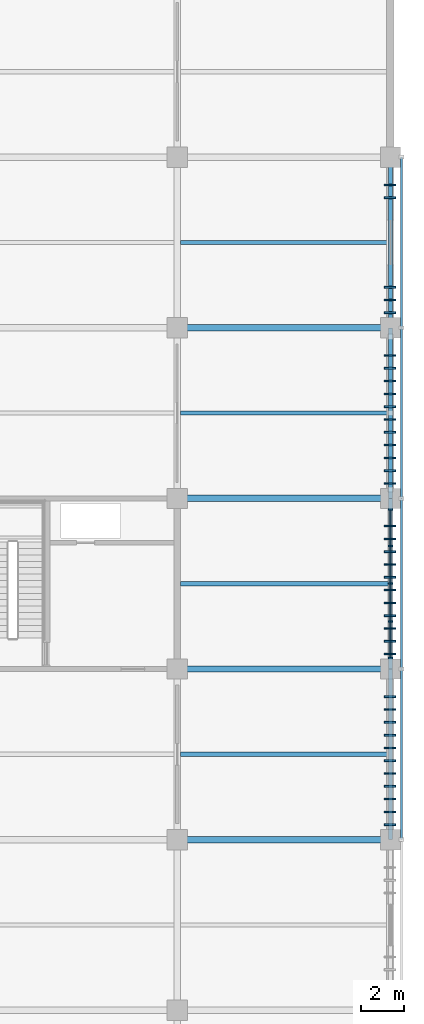
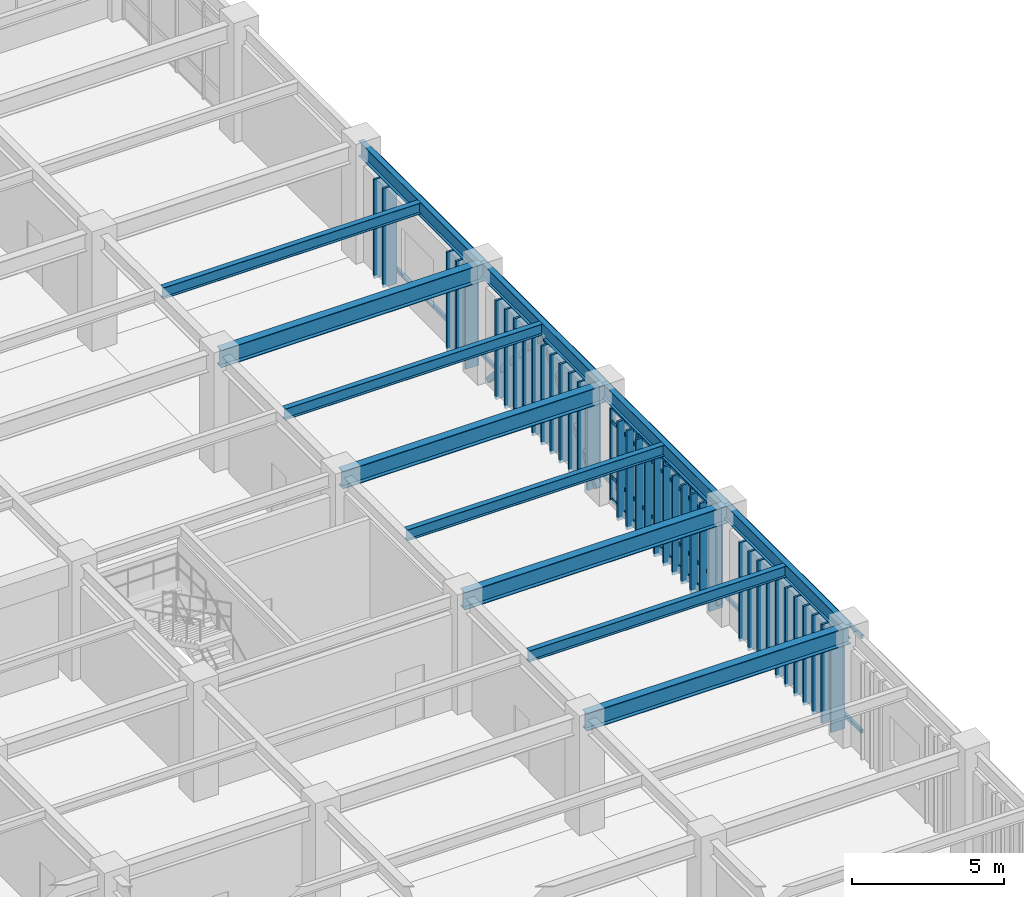
# One storey, part 37 of 109: 69 members, 12 beams, 1 element without a shape of its own.
"""IFC4 building model written with IfcOpenShell, lengths in metres."""

from ifc_helpers import new_model, si_unit, direction, frame, origin, origin_2d, place, context, subcontext, project, spatial, rectangle, hollow_rectangle, i_section, extrude, material, layer, layer_set, material_profile, profile_set, type_object, element, aggregate, save


model = new_model("IFC4")

# Units and contexts
model_context = context("Model", 3, precision=1e-05, world=origin(), true_north=direction((0.0, 1.0)))
body_context = subcontext(model_context, "Body", "Model", "MODEL_VIEW")
ifc_project = project(units=[si_unit("LENGTHUNIT", "METRE"), si_unit("AREAUNIT", "SQUARE_METRE"), si_unit("VOLUMEUNIT", "CUBIC_METRE"), si_unit("PLANEANGLEUNIT", "RADIAN"), si_unit("MASSUNIT", "GRAM", prefix="KILO")], contexts=[model_context])

# Site, building, storey
site_placement = place(None, origin())
site = spatial("IfcSite", under=ifc_project, at=site_placement, CompositionType="ELEMENT")
building_placement = place(site_placement, origin())
building = spatial("IfcBuilding", under=site, at=building_placement, Name="Haebicheon Civic Stadium", CompositionType="ELEMENT")
storey_placement = place(building_placement, frame((0.0, 0.0, 9.60009765625)))
storey = spatial("IfcBuildingStorey", under=building, at=storey_placement, Name="L03", CompositionType="ELEMENT", Elevation=9.60009765625)

# Beams
ifc_material_1 = material(Name="Steel SM490", Category="steel")
ifc_material_profile_1 = material_profile(ifc_material_1, i_section(OverallWidth=0.300048828125, OverallDepth=0.699951171875, WebThickness=0.012939453125, FlangeThickness=0.02392578125, at=origin_2d()), Name="H-700x300x13x24")
ifc_profile_set_1 = profile_set([ifc_material_profile_1], Name="Steel SM490")
beam_type_1 = type_object("IfcBeamType", Name="BM-ST-H700", PredefinedType="BEAM", material=ifc_profile_set_1)
for number, where, z_axis, x_axis, name in (
    (1, (226.0, 96.0, 4.18994140625), (1.0, 0.0, 0.0), (0.0, 1.0, 0.0), "L03 beam N/29-30"),
    (2, (226.0, 104.0, 4.18994140625), (1.0, 0.0, 0.0), (0.0, 1.0, 0.0), "L03 beam P/29-30"),
    (3, (226.0, 112.0, 4.18994140625), (1.0, 0.0, 0.0), (0.0, 1.0, 0.0), "L03 beam Q/29-30"),
    (4, (226.0, 120.0, 4.18994140625), (1.0, 0.0, 0.0), (0.0, 1.0, 0.0), "L03 beam R/29-30"),
):
    element("IfcBeam", number, at=place(storey_placement, frame(where, z_axis=z_axis, x_axis=x_axis)), inside=storey, type_object=beam_type_1, material=ifc_profile_set_1, Name=name, PredefinedType="BEAM", context=body_context, shape_type="SweptSolid", body=[
        extrude(i_section(OverallWidth=0.300048828125, OverallDepth=0.699951171875, WebThickness=0.012939453125, FlangeThickness=0.02392578125, at=origin_2d()), origin(), (0.0, 0.0, 1.0), 10.0),
    ])

# Members
ifc_material_2 = material(Name="Steel SM355 (S355)", Category="steel")
ifc_material_profile_2 = material_profile(ifc_material_2, hollow_rectangle(XDim=0.199951171875, YDim=0.199951171875, WallThickness=0.009033203125, at=origin_2d()), Name="RHS-200x200x9.0")
ifc_profile_set_2 = profile_set([ifc_material_profile_2], Name="Steel SM355 (S355)")
member_type_1 = type_object("IfcMemberType", Name="BRC-RHS200", PredefinedType="BRACE", material=ifc_profile_set_2)
for number, where, z_axis, x_axis, name in (
    (5, (236.0, 112.419921875, 0.039794921875), (0.0, 0.676231908598, 0.736688812046), (-1.0, 0.0, 0.0), "BR200 chevron brace L03 28-14 A"),
    (6, (236.0, 119.580078125, 0.039794921875), (0.0, -0.676231908598, 0.736688812046), (1.0, 0.0, 0.0), "BR200 chevron brace L03 28-14 B"),
):
    element("IfcMember", number, at=place(storey_placement, frame(where, z_axis=z_axis, x_axis=x_axis)), inside=storey, type_object=member_type_1, material=ifc_profile_set_2, Name=name, PredefinedType="BRACE", context=body_context, shape_type="SweptSolid", body=[
        extrude(hollow_rectangle(XDim=0.199951171875, YDim=0.199951171875, WallThickness=0.009033203125, at=origin_2d()), origin(), (0.0, 0.0, 1.0), 5.294189453125),
    ])

# Curtain wall, members
ifc_material_3 = material(Name="Anodised aluminium and laminated glass", Category="aluminium")
ifc_layer = layer(ifc_material_3, 0.179931640625, Name="Anodised aluminium and laminated glass")
ifc_layer_set = layer_set([ifc_layer], Name="Anodised aluminium and laminated glass")
curtain_wall_type = type_object("IfcCurtainWallType", Name="CW-7050x3670", PredefinedType="NOTDEFINED", material=ifc_layer_set)
curtain_wall_placement = place(storey_placement, origin())
curtain_wall = element("IfcCurtainWall", 7, at=curtain_wall_placement, inside=storey, type_object=curtain_wall_type, material=ifc_layer_set, Name="L03 unitised curtain wall 103", PredefinedType="NOTDEFINED")
ifc_material_4 = material(Name="Anodised aluminium 6063-T6", Category="aluminium")
ifc_material_profile_3 = material_profile(ifc_material_4, rectangle(XDim=0.070068359375, YDim=0.199951171875, at=origin_2d()), Name="ALU-MULL-70x200")
ifc_profile_set_3 = profile_set([ifc_material_profile_3], Name="Anodised aluminium 6063-T6")
member_type_2 = type_object("IfcMemberType", Name="CWM-200x70", PredefinedType="MULLION", material=ifc_profile_set_3)
member_1_placement = place(storey_placement, frame((236.0, 104.510009765625, 0.159912109375), z_axis=(0.0, 0.0, 1.0), x_axis=(0.0, 1.0, 0.0)))
member_1 = element("IfcMember", 8, at=member_1_placement, type_object=member_type_2, material=ifc_profile_set_3, Name="CW-L03-103 vertical mullion 1", PredefinedType="MULLION", context=body_context, shape_type="SweptSolid", body=[
    extrude(rectangle(XDim=0.070068359375, YDim=0.199951171875, at=origin_2d()), origin(), (0.0, 0.0, 1.0), 3.669921875),
])
member_2_placement = place(storey_placement, frame((236.0, 106.237060546875, 0.159912109375), z_axis=(0.0, 0.0, 1.0), x_axis=(0.0, 1.0, 0.0)))
member_2 = element("IfcMember", 9, at=member_2_placement, type_object=member_type_2, material=ifc_profile_set_3, Name="CW-L03-103 vertical mullion 2", PredefinedType="MULLION", context=body_context, shape_type="SweptSolid", body=[
    extrude(rectangle(XDim=0.070068359375, YDim=0.199951171875, at=origin_2d()), origin(), (0.0, 0.0, 1.0), 3.669921875),
])
member_3_placement = place(storey_placement, frame((236.0, 108.0, 0.159912109375), z_axis=(0.0, 0.0, 1.0), x_axis=(0.0, 1.0, 0.0)))
member_3 = element("IfcMember", 10, at=member_3_placement, type_object=member_type_2, material=ifc_profile_set_3, Name="CW-L03-103 vertical mullion 3", PredefinedType="MULLION", context=body_context, shape_type="SweptSolid", body=[
    extrude(rectangle(XDim=0.070068359375, YDim=0.199951171875, at=origin_2d()), origin(), (0.0, 0.0, 1.0), 3.669921875),
])
member_4_placement = place(storey_placement, frame((236.0, 109.762939453125, 0.159912109375), z_axis=(0.0, 0.0, 1.0), x_axis=(0.0, 1.0, 0.0)))
member_4 = element("IfcMember", 11, at=member_4_placement, type_object=member_type_2, material=ifc_profile_set_3, Name="CW-L03-103 vertical mullion 4", PredefinedType="MULLION", context=body_context, shape_type="SweptSolid", body=[
    extrude(rectangle(XDim=0.070068359375, YDim=0.199951171875, at=origin_2d()), origin(), (0.0, 0.0, 1.0), 3.669921875),
])
member_5_placement = place(storey_placement, frame((236.0, 111.489990234375, 0.159912109375), z_axis=(0.0, 0.0, 1.0), x_axis=(0.0, 1.0, 0.0)))
member_5 = element("IfcMember", 12, at=member_5_placement, type_object=member_type_2, material=ifc_profile_set_3, Name="CW-L03-103 vertical mullion 5", PredefinedType="MULLION", context=body_context, shape_type="SweptSolid", body=[
    extrude(rectangle(XDim=0.070068359375, YDim=0.199951171875, at=origin_2d()), origin(), (0.0, 0.0, 1.0), 3.669921875),
])
ifc_material_5 = material(Name="Anodised aluminium 6063-T6", Category="aluminium")
ifc_material_profile_4 = material_profile(ifc_material_5, rectangle(XDim=0.070068359375, YDim=0.14990234375, at=origin_2d()), Name="ALU-TRAN-70x150")
ifc_profile_set_4 = profile_set([ifc_material_profile_4], Name="Anodised aluminium 6063-T6")
member_type_3 = type_object("IfcMemberType", Name="CWT-150x70", PredefinedType="NOTDEFINED", material=ifc_profile_set_4)
member_6_placement = place(storey_placement, frame((236.0, 104.544921875, 0.159912109375), z_axis=(0.0, 1.0, 0.0), x_axis=(-1.0, 0.0, 0.0)))
member_6 = element("IfcMember", 13, at=member_6_placement, type_object=member_type_3, material=ifc_profile_set_4, Name="CW-L03-103 horizontal transom 1.1", ObjectType="TRANSOM", PredefinedType="USERDEFINED", context=body_context, shape_type="SweptSolid", body=[
    extrude(rectangle(XDim=0.070068359375, YDim=0.14990234375, at=origin_2d()), origin(), (0.0, 0.0, 1.0), 1.656982421875),
])
member_7_placement = place(storey_placement, frame((236.0, 104.544921875, 1.059814453125), z_axis=(0.0, 1.0, 0.0), x_axis=(-1.0, 0.0, 0.0)))
member_7 = element("IfcMember", 14, at=member_7_placement, type_object=member_type_3, material=ifc_profile_set_4, Name="CW-L03-103 horizontal transom 1.2", ObjectType="TRANSOM", PredefinedType="USERDEFINED", context=body_context, shape_type="SweptSolid", body=[
    extrude(rectangle(XDim=0.070068359375, YDim=0.14990234375, at=origin_2d()), origin(), (0.0, 0.0, 1.0), 1.656982421875),
])
member_8_placement = place(storey_placement, frame((236.0, 104.544921875, 3.27978515625), z_axis=(0.0, 1.0, 0.0), x_axis=(-1.0, 0.0, 0.0)))
member_8 = element("IfcMember", 15, at=member_8_placement, type_object=member_type_3, material=ifc_profile_set_4, Name="CW-L03-103 horizontal transom 1.3", ObjectType="TRANSOM", PredefinedType="USERDEFINED", context=body_context, shape_type="SweptSolid", body=[
    extrude(rectangle(XDim=0.070068359375, YDim=0.14990234375, at=origin_2d()), origin(), (0.0, 0.0, 1.0), 1.656982421875),
])
member_9_placement = place(storey_placement, frame((236.0, 104.544921875, 3.829833984375), z_axis=(0.0, 1.0, 0.0), x_axis=(-1.0, 0.0, 0.0)))
member_9 = element("IfcMember", 16, at=member_9_placement, type_object=member_type_3, material=ifc_profile_set_4, Name="CW-L03-103 horizontal transom 1.4", ObjectType="TRANSOM", PredefinedType="USERDEFINED", context=body_context, shape_type="SweptSolid", body=[
    extrude(rectangle(XDim=0.070068359375, YDim=0.14990234375, at=origin_2d()), origin(), (0.0, 0.0, 1.0), 1.656982421875),
])
member_10_placement = place(storey_placement, frame((236.0, 106.27197265625, 0.159912109375), z_axis=(0.0, 1.0, 0.0), x_axis=(-1.0, 0.0, 0.0)))
member_10 = element("IfcMember", 17, at=member_10_placement, type_object=member_type_3, material=ifc_profile_set_4, Name="CW-L03-103 horizontal transom 2.1", ObjectType="TRANSOM", PredefinedType="USERDEFINED", context=body_context, shape_type="SweptSolid", body=[
    extrude(rectangle(XDim=0.070068359375, YDim=0.14990234375, at=origin_2d()), origin(), (0.0, 0.0, 1.0), 1.693115234375),
])
member_11_placement = place(storey_placement, frame((236.0, 106.27197265625, 1.059814453125), z_axis=(0.0, 1.0, 0.0), x_axis=(-1.0, 0.0, 0.0)))
member_11 = element("IfcMember", 18, at=member_11_placement, type_object=member_type_3, material=ifc_profile_set_4, Name="CW-L03-103 horizontal transom 2.2", ObjectType="TRANSOM", PredefinedType="USERDEFINED", context=body_context, shape_type="SweptSolid", body=[
    extrude(rectangle(XDim=0.070068359375, YDim=0.14990234375, at=origin_2d()), origin(), (0.0, 0.0, 1.0), 1.693115234375),
])
member_12_placement = place(storey_placement, frame((236.0, 106.27197265625, 3.27978515625), z_axis=(0.0, 1.0, 0.0), x_axis=(-1.0, 0.0, 0.0)))
member_12 = element("IfcMember", 19, at=member_12_placement, type_object=member_type_3, material=ifc_profile_set_4, Name="CW-L03-103 horizontal transom 2.3", ObjectType="TRANSOM", PredefinedType="USERDEFINED", context=body_context, shape_type="SweptSolid", body=[
    extrude(rectangle(XDim=0.070068359375, YDim=0.14990234375, at=origin_2d()), origin(), (0.0, 0.0, 1.0), 1.693115234375),
])
member_13_placement = place(storey_placement, frame((236.0, 106.27197265625, 3.829833984375), z_axis=(0.0, 1.0, 0.0), x_axis=(-1.0, 0.0, 0.0)))
member_13 = element("IfcMember", 20, at=member_13_placement, type_object=member_type_3, material=ifc_profile_set_4, Name="CW-L03-103 horizontal transom 2.4", ObjectType="TRANSOM", PredefinedType="USERDEFINED", context=body_context, shape_type="SweptSolid", body=[
    extrude(rectangle(XDim=0.070068359375, YDim=0.14990234375, at=origin_2d()), origin(), (0.0, 0.0, 1.0), 1.693115234375),
])
member_14_placement = place(storey_placement, frame((236.0, 108.034912109375, 0.159912109375), z_axis=(0.0, 1.0, 0.0), x_axis=(-1.0, 0.0, 0.0)))
member_14 = element("IfcMember", 21, at=member_14_placement, type_object=member_type_3, material=ifc_profile_set_4, Name="CW-L03-103 horizontal transom 3.1", ObjectType="TRANSOM", PredefinedType="USERDEFINED", context=body_context, shape_type="SweptSolid", body=[
    extrude(rectangle(XDim=0.070068359375, YDim=0.14990234375, at=origin_2d()), origin(), (0.0, 0.0, 1.0), 1.693115234375),
])
member_15_placement = place(storey_placement, frame((236.0, 108.034912109375, 1.059814453125), z_axis=(0.0, 1.0, 0.0), x_axis=(-1.0, 0.0, 0.0)))
member_15 = element("IfcMember", 22, at=member_15_placement, type_object=member_type_3, material=ifc_profile_set_4, Name="CW-L03-103 horizontal transom 3.2", ObjectType="TRANSOM", PredefinedType="USERDEFINED", context=body_context, shape_type="SweptSolid", body=[
    extrude(rectangle(XDim=0.070068359375, YDim=0.14990234375, at=origin_2d()), origin(), (0.0, 0.0, 1.0), 1.693115234375),
])
member_16_placement = place(storey_placement, frame((236.0, 108.034912109375, 3.27978515625), z_axis=(0.0, 1.0, 0.0), x_axis=(-1.0, 0.0, 0.0)))
member_16 = element("IfcMember", 23, at=member_16_placement, type_object=member_type_3, material=ifc_profile_set_4, Name="CW-L03-103 horizontal transom 3.3", ObjectType="TRANSOM", PredefinedType="USERDEFINED", context=body_context, shape_type="SweptSolid", body=[
    extrude(rectangle(XDim=0.070068359375, YDim=0.14990234375, at=origin_2d()), origin(), (0.0, 0.0, 1.0), 1.693115234375),
])
member_17_placement = place(storey_placement, frame((236.0, 108.034912109375, 3.829833984375), z_axis=(0.0, 1.0, 0.0), x_axis=(-1.0, 0.0, 0.0)))
member_17 = element("IfcMember", 24, at=member_17_placement, type_object=member_type_3, material=ifc_profile_set_4, Name="CW-L03-103 horizontal transom 3.4", ObjectType="TRANSOM", PredefinedType="USERDEFINED", context=body_context, shape_type="SweptSolid", body=[
    extrude(rectangle(XDim=0.070068359375, YDim=0.14990234375, at=origin_2d()), origin(), (0.0, 0.0, 1.0), 1.693115234375),
])
member_18_placement = place(storey_placement, frame((236.0, 109.798095703125, 0.159912109375), z_axis=(0.0, 1.0, 0.0), x_axis=(-1.0, 0.0, 0.0)))
member_18 = element("IfcMember", 25, at=member_18_placement, type_object=member_type_3, material=ifc_profile_set_4, Name="CW-L03-103 horizontal transom 4.1", ObjectType="TRANSOM", PredefinedType="USERDEFINED", context=body_context, shape_type="SweptSolid", body=[
    extrude(rectangle(XDim=0.070068359375, YDim=0.14990234375, at=origin_2d()), origin(), (0.0, 0.0, 1.0), 1.656982421875),
])
member_19_placement = place(storey_placement, frame((236.0, 109.798095703125, 1.059814453125), z_axis=(0.0, 1.0, 0.0), x_axis=(-1.0, 0.0, 0.0)))
member_19 = element("IfcMember", 26, at=member_19_placement, type_object=member_type_3, material=ifc_profile_set_4, Name="CW-L03-103 horizontal transom 4.2", ObjectType="TRANSOM", PredefinedType="USERDEFINED", context=body_context, shape_type="SweptSolid", body=[
    extrude(rectangle(XDim=0.070068359375, YDim=0.14990234375, at=origin_2d()), origin(), (0.0, 0.0, 1.0), 1.656982421875),
])
member_20_placement = place(storey_placement, frame((236.0, 109.798095703125, 3.27978515625), z_axis=(0.0, 1.0, 0.0), x_axis=(-1.0, 0.0, 0.0)))
member_20 = element("IfcMember", 27, at=member_20_placement, type_object=member_type_3, material=ifc_profile_set_4, Name="CW-L03-103 horizontal transom 4.3", ObjectType="TRANSOM", PredefinedType="USERDEFINED", context=body_context, shape_type="SweptSolid", body=[
    extrude(rectangle(XDim=0.070068359375, YDim=0.14990234375, at=origin_2d()), origin(), (0.0, 0.0, 1.0), 1.656982421875),
])
member_21_placement = place(storey_placement, frame((236.0, 109.798095703125, 3.829833984375), z_axis=(0.0, 1.0, 0.0), x_axis=(-1.0, 0.0, 0.0)))
member_21 = element("IfcMember", 28, at=member_21_placement, type_object=member_type_3, material=ifc_profile_set_4, Name="CW-L03-103 horizontal transom 4.4", ObjectType="TRANSOM", PredefinedType="USERDEFINED", context=body_context, shape_type="SweptSolid", body=[
    extrude(rectangle(XDim=0.070068359375, YDim=0.14990234375, at=origin_2d()), origin(), (0.0, 0.0, 1.0), 1.656982421875),
])
aggregate(curtain_wall, [member_1, member_2, member_3, member_4, member_5, member_6, member_7, member_8, member_9, member_10, member_11, member_12, member_13, member_14, member_15, member_16, member_17, member_18, member_19, member_20, member_21])

# Beams
ifc_material_6 = material(Name="Steel SM355 (S355)", Category="steel")
ifc_material_profile_5 = material_profile(ifc_material_6, i_section(OverallWidth=0.199951171875, OverallDepth=0.449951171875, WebThickness=0.009033203125, FlangeThickness=0.013916015625, at=origin_2d()), Name="H-450x200x9x14")
ifc_profile_set_5 = profile_set([ifc_material_profile_5], Name="Steel SM355 (S355)")
beam_type_2 = type_object("IfcBeamType", Name="JST-ST-H450", PredefinedType="JOIST", material=ifc_profile_set_5)
for number, where, z_axis, x_axis, name in (
    (29, (226.14990234375, 100.0, 4.31494140625), (1.0, 0.0, 0.0), (0.0, 1.0, 0.0), "L03 secondary joist 28-12"),
    (30, (226.14990234375, 108.0, 4.31494140625), (1.0, 0.0, 0.0), (0.0, 1.0, 0.0), "L03 secondary joist 28-13"),
    (31, (226.14990234375, 116.0, 4.31494140625), (1.0, 0.0, 0.0), (0.0, 1.0, 0.0), "L03 secondary joist 28-14"),
    (32, (226.14990234375, 124.0, 4.31494140625), (1.0, 0.0, 0.0), (0.0, 1.0, 0.0), "L03 secondary joist 28-15"),
):
    element("IfcBeam", number, at=place(storey_placement, frame(where, z_axis=z_axis, x_axis=x_axis)), inside=storey, type_object=beam_type_2, material=ifc_profile_set_5, Name=name, PredefinedType="JOIST", context=body_context, shape_type="SweptSolid", body=[
        extrude(i_section(OverallWidth=0.199951171875, OverallDepth=0.449951171875, WebThickness=0.009033203125, FlangeThickness=0.013916015625, at=origin_2d()), origin(), (0.0, 0.0, 1.0), 9.75),
    ])

# Members
ifc_material_7 = material(Name="Acetylated timber GL28h", Category="wood")
ifc_material_profile_6 = material_profile(ifc_material_7, rectangle(XDim=0.080078125, YDim=0.52001953125, at=origin_2d()), Name="TMB-LOUV-80x520")
ifc_profile_set_6 = profile_set([ifc_material_profile_6], Name="Acetylated timber GL28h")
member_type_4 = type_object("IfcMemberType", Name="LVR-TIM-520x80", PredefinedType="PLATE", material=ifc_profile_set_6)
for number, where, z_axis, x_axis, name in (
    (33, (235.97998046875, 96.699951171875, -0.1201171875), (0.0, 0.0, 1.0), (0.0, 1.0, 0.0), "SCR-COMM L03 acetylated timber storm louvre fin 7.1"),
    (34, (235.97998046875, 97.300048828125, -0.1201171875), (0.0, 0.0, 1.0), (0.0, 1.0, 0.0), "SCR-COMM L03 acetylated timber storm louvre fin 7.2"),
    (35, (235.97998046875, 97.89990234375, -0.1201171875), (0.0, 0.0, 1.0), (0.0, 1.0, 0.0), "SCR-COMM L03 acetylated timber storm louvre fin 7.3"),
    (36, (235.97998046875, 98.5, -0.1201171875), (0.0, 0.0, 1.0), (0.0, 1.0, 0.0), "SCR-COMM L03 acetylated timber storm louvre fin 7.4"),
    (37, (235.97998046875, 99.10009765625, -0.1201171875), (0.0, 0.0, 1.0), (0.0, 1.0, 0.0), "SCR-COMM L03 acetylated timber storm louvre fin 7.5"),
    (38, (235.97998046875, 99.699951171875, -0.1201171875), (0.0, 0.0, 1.0), (0.0, 1.0, 0.0), "SCR-COMM L03 acetylated timber storm louvre fin 7.6"),
    (39, (235.97998046875, 100.300048828125, -0.1201171875), (0.0, 0.0, 1.0), (0.0, 1.0, 0.0), "SCR-COMM L03 acetylated timber storm louvre fin 7.7"),
    (40, (235.97998046875, 100.89990234375, -0.1201171875), (0.0, 0.0, 1.0), (0.0, 1.0, 0.0), "SCR-COMM L03 acetylated timber storm louvre fin 7.8"),
    (41, (235.97998046875, 101.5, -0.1201171875), (0.0, 0.0, 1.0), (0.0, 1.0, 0.0), "SCR-COMM L03 acetylated timber storm louvre fin 7.9"),
    (42, (235.97998046875, 102.10009765625, -0.1201171875), (0.0, 0.0, 1.0), (0.0, 1.0, 0.0), "SCR-COMM L03 acetylated timber storm louvre fin 7.10"),
    (43, (235.97998046875, 102.699951171875, -0.1201171875), (0.0, 0.0, 1.0), (0.0, 1.0, 0.0), "SCR-COMM L03 acetylated timber storm louvre fin 7.11"),
    (44, (235.97998046875, 104.699951171875, -0.1201171875), (0.0, 0.0, 1.0), (0.0, 1.0, 0.0), "SCR-COMM L03 acetylated timber storm louvre fin 8.1"),
    (45, (235.97998046875, 105.300048828125, -0.1201171875), (0.0, 0.0, 1.0), (0.0, 1.0, 0.0), "SCR-COMM L03 acetylated timber storm louvre fin 8.2"),
    (46, (235.97998046875, 105.89990234375, -0.1201171875), (0.0, 0.0, 1.0), (0.0, 1.0, 0.0), "SCR-COMM L03 acetylated timber storm louvre fin 8.3"),
    (47, (235.97998046875, 106.5, -0.1201171875), (0.0, 0.0, 1.0), (0.0, 1.0, 0.0), "SCR-COMM L03 acetylated timber storm louvre fin 8.4"),
    (48, (235.97998046875, 107.10009765625, -0.1201171875), (0.0, 0.0, 1.0), (0.0, 1.0, 0.0), "SCR-COMM L03 acetylated timber storm louvre fin 8.5"),
    (49, (235.97998046875, 107.699951171875, -0.1201171875), (0.0, 0.0, 1.0), (0.0, 1.0, 0.0), "SCR-COMM L03 acetylated timber storm louvre fin 8.6"),
    (50, (235.97998046875, 108.300048828125, -0.1201171875), (0.0, 0.0, 1.0), (0.0, 1.0, 0.0), "SCR-COMM L03 acetylated timber storm louvre fin 8.7"),
    (51, (235.97998046875, 108.89990234375, -0.1201171875), (0.0, 0.0, 1.0), (0.0, 1.0, 0.0), "SCR-COMM L03 acetylated timber storm louvre fin 8.8"),
    (52, (235.97998046875, 109.5, -0.1201171875), (0.0, 0.0, 1.0), (0.0, 1.0, 0.0), "SCR-COMM L03 acetylated timber storm louvre fin 8.9"),
    (53, (235.97998046875, 110.10009765625, -0.1201171875), (0.0, 0.0, 1.0), (0.0, 1.0, 0.0), "SCR-COMM L03 acetylated timber storm louvre fin 8.10"),
    (54, (235.97998046875, 110.699951171875, -0.1201171875), (0.0, 0.0, 1.0), (0.0, 1.0, 0.0), "SCR-COMM L03 acetylated timber storm louvre fin 8.11"),
    (55, (235.97998046875, 112.699951171875, -0.1201171875), (0.0, 0.0, 1.0), (0.0, 1.0, 0.0), "SCR-COMM L03 acetylated timber storm louvre fin 9.1"),
    (56, (235.97998046875, 113.300048828125, -0.1201171875), (0.0, 0.0, 1.0), (0.0, 1.0, 0.0), "SCR-COMM L03 acetylated timber storm louvre fin 9.2"),
    (57, (235.97998046875, 113.89990234375, -0.1201171875), (0.0, 0.0, 1.0), (0.0, 1.0, 0.0), "SCR-COMM L03 acetylated timber storm louvre fin 9.3"),
    (58, (235.97998046875, 114.5, -0.1201171875), (0.0, 0.0, 1.0), (0.0, 1.0, 0.0), "SCR-COMM L03 acetylated timber storm louvre fin 9.4"),
    (59, (235.97998046875, 115.10009765625, -0.1201171875), (0.0, 0.0, 1.0), (0.0, 1.0, 0.0), "SCR-COMM L03 acetylated timber storm louvre fin 9.5"),
    (60, (235.97998046875, 115.699951171875, -0.1201171875), (0.0, 0.0, 1.0), (0.0, 1.0, 0.0), "SCR-COMM L03 acetylated timber storm louvre fin 9.6"),
    (61, (235.97998046875, 116.300048828125, -0.1201171875), (0.0, 0.0, 1.0), (0.0, 1.0, 0.0), "SCR-COMM L03 acetylated timber storm louvre fin 9.7"),
    (62, (235.97998046875, 116.89990234375, -0.1201171875), (0.0, 0.0, 1.0), (0.0, 1.0, 0.0), "SCR-COMM L03 acetylated timber storm louvre fin 9.8"),
    (63, (235.97998046875, 117.5, -0.1201171875), (0.0, 0.0, 1.0), (0.0, 1.0, 0.0), "SCR-COMM L03 acetylated timber storm louvre fin 9.9"),
    (64, (235.97998046875, 118.10009765625, -0.1201171875), (0.0, 0.0, 1.0), (0.0, 1.0, 0.0), "SCR-COMM L03 acetylated timber storm louvre fin 9.10"),
    (65, (235.97998046875, 118.699951171875, -0.1201171875), (0.0, 0.0, 1.0), (0.0, 1.0, 0.0), "SCR-COMM L03 acetylated timber storm louvre fin 9.11"),
    (66, (235.97998046875, 120.699951171875, -0.1201171875), (0.0, 0.0, 1.0), (0.0, 1.0, 0.0), "SCR-COMM L03 acetylated timber storm louvre fin 10.1"),
    (67, (235.97998046875, 121.300048828125, -0.1201171875), (0.0, 0.0, 1.0), (0.0, 1.0, 0.0), "SCR-COMM L03 acetylated timber storm louvre fin 10.2"),
    (68, (235.97998046875, 121.89990234375, -0.1201171875), (0.0, 0.0, 1.0), (0.0, 1.0, 0.0), "SCR-COMM L03 acetylated timber storm louvre fin 10.3"),
    (69, (235.97998046875, 126.10009765625, -0.1201171875), (0.0, 0.0, 1.0), (0.0, 1.0, 0.0), "SCR-COMM L03 acetylated timber storm louvre fin 10.10"),
    (70, (235.97998046875, 126.699951171875, -0.1201171875), (0.0, 0.0, 1.0), (0.0, 1.0, 0.0), "SCR-COMM L03 acetylated timber storm louvre fin 10.11"),
):
    element("IfcMember", number, at=place(storey_placement, frame(where, z_axis=z_axis, x_axis=x_axis)), inside=storey, type_object=member_type_4, material=ifc_profile_set_6, Name=name, PredefinedType="PLATE", context=body_context, shape_type="SweptSolid", body=[
        extrude(rectangle(XDim=0.080078125, YDim=0.52001953125, at=origin_2d()), origin(), (0.0, 0.0, 1.0), 3.969970703125),
    ])

# Beams
ifc_material_8 = material(Name="Steel SM355 (S355)", Category="steel")
ifc_material_profile_7 = material_profile(ifc_material_8, i_section(OverallWidth=0.199951171875, OverallDepth=0.60009765625, WebThickness=0.010986328125, FlangeThickness=0.01708984375, at=origin_2d()), Name="H-600x200x11x17")
ifc_profile_set_7 = profile_set([ifc_material_profile_7], Name="Steel SM355 (S355)")
beam_type_3 = type_object("IfcBeamType", Name="SPD-ST-H600B", PredefinedType="SPANDREL", material=ifc_profile_set_7)
for number, where, z_axis, x_axis, name in (
    (71, (236.0, 96.0, 4.239990234375), (0.0, 1.0, 0.0), (-1.0, 0.0, 0.0), "L03 girder 30/N-P"),
    (72, (236.0, 104.0, 4.239990234375), (0.0, 1.0, 0.0), (-1.0, 0.0, 0.0), "L03 girder 30/P-Q"),
    (73, (236.0, 112.0, 4.239990234375), (0.0, 1.0, 0.0), (-1.0, 0.0, 0.0), "L03 girder 30/Q-R"),
    (74, (236.0, 120.0, 4.239990234375), (0.0, 1.0, 0.0), (-1.0, 0.0, 0.0), "L03 girder 30/R-S"),
):
    element("IfcBeam", number, at=place(storey_placement, frame(where, z_axis=z_axis, x_axis=x_axis)), inside=storey, type_object=beam_type_3, material=ifc_profile_set_7, Name=name, PredefinedType="SPANDREL", context=body_context, shape_type="SweptSolid", body=[
        extrude(i_section(OverallWidth=0.199951171875, OverallDepth=0.60009765625, WebThickness=0.010986328125, FlangeThickness=0.01708984375, at=origin_2d()), origin(), (0.0, 0.0, 1.0), 8.0),
    ])

# Members
ifc_material_9 = material(Name="Steel SM355 (S355)", Category="steel")
ifc_material_profile_8 = material_profile(ifc_material_9, hollow_rectangle(XDim=0.10009765625, YDim=0.14990234375, WallThickness=0.006103515625, at=origin_2d()), Name="RHS-150x100x6.0")
ifc_profile_set_8 = profile_set([ifc_material_profile_8], Name="Steel SM355 (S355)")
member_type_5 = type_object("IfcMemberType", Name="SUB-RHS150", PredefinedType="STRINGER", material=ifc_profile_set_8)
for number, where, z_axis, x_axis, name in (
    (75, (236.514892578125, 96.0, 0.059814453125), (0.0, 1.0, 0.0), (-1.0, 0.0, 0.0), "SCR-COMM L03 storm-louvre bottom carrier rail 7"),
    (76, (236.514892578125, 96.0, 3.849853515625), (0.0, 1.0, 0.0), (-1.0, 0.0, 0.0), "SCR-COMM L03 storm-louvre top carrier rail 7"),
    (77, (236.514892578125, 104.0, 0.059814453125), (0.0, 1.0, 0.0), (-1.0, 0.0, 0.0), "SCR-COMM L03 storm-louvre bottom carrier rail 8"),
    (78, (236.514892578125, 104.0, 3.849853515625), (0.0, 1.0, 0.0), (-1.0, 0.0, 0.0), "SCR-COMM L03 storm-louvre top carrier rail 8"),
    (79, (236.514892578125, 112.0, 0.059814453125), (0.0, 1.0, 0.0), (-1.0, 0.0, 0.0), "SCR-COMM L03 storm-louvre bottom carrier rail 9"),
    (80, (236.514892578125, 112.0, 3.849853515625), (0.0, 1.0, 0.0), (-1.0, 0.0, 0.0), "SCR-COMM L03 storm-louvre top carrier rail 9"),
    (81, (236.514892578125, 120.0, 0.059814453125), (0.0, 1.0, 0.0), (-1.0, 0.0, 0.0), "SCR-COMM L03 storm-louvre bottom carrier rail 10"),
    (82, (236.514892578125, 120.0, 3.849853515625), (0.0, 1.0, 0.0), (-1.0, 0.0, 0.0), "SCR-COMM L03 storm-louvre top carrier rail 10"),
):
    element("IfcMember", number, at=place(storey_placement, frame(where, z_axis=z_axis, x_axis=x_axis)), inside=storey, type_object=member_type_5, material=ifc_profile_set_8, Name=name, PredefinedType="STRINGER", context=body_context, shape_type="SweptSolid", body=[
        extrude(hollow_rectangle(XDim=0.10009765625, YDim=0.14990234375, WallThickness=0.006103515625, at=origin_2d()), origin(), (0.0, 0.0, 1.0), 8.0),
    ])

save(model, "model.ifc")
